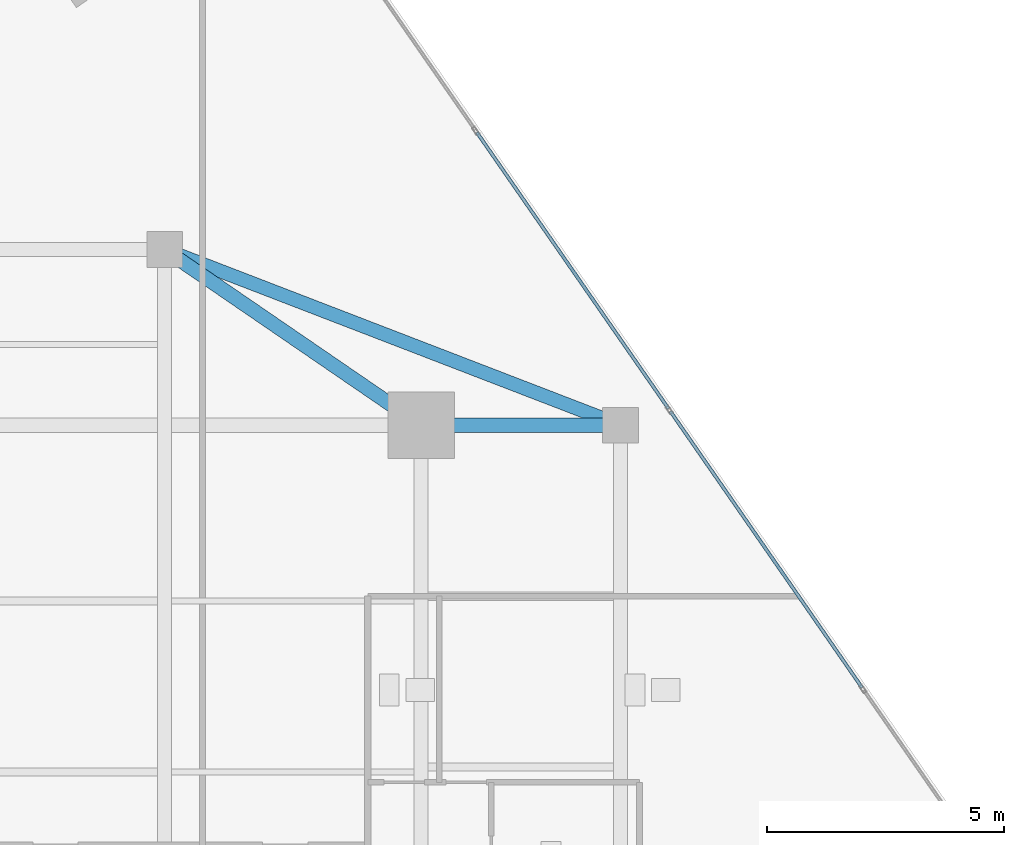
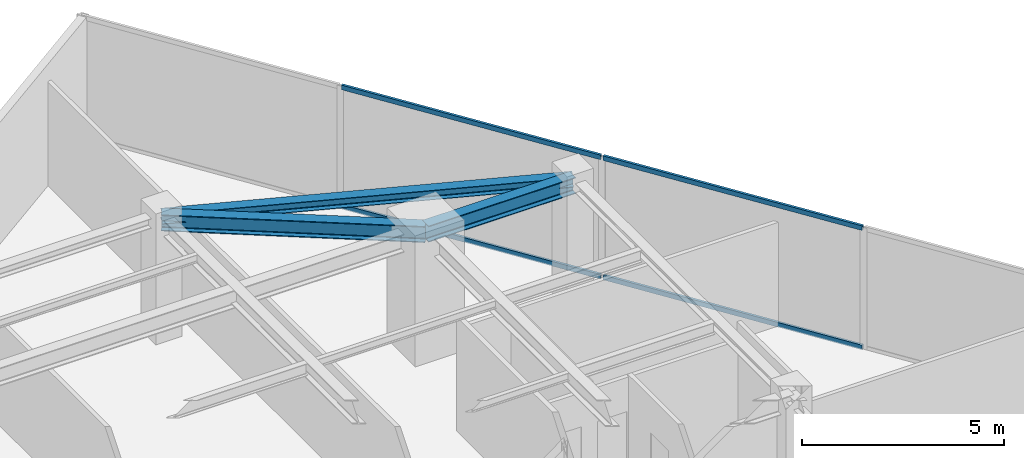
# One storey, part 15 of 21: 4 members, 3 beams, 1 element without a shape of its own.
"""IFC4 building model written with IfcOpenShell, lengths in metres."""

from ifc_helpers import new_model, si_unit, direction, frame, origin, origin_2d, place, context, subcontext, project, spatial, hollow_rectangle, i_section, extrude, source, transform, mapped, material, material_profile, profile_set, type_object, type_shapes, element, aggregate, save


model = new_model("IFC4")

# Units and contexts
model_context = context("Model", 3, precision=1e-05, world=origin(), true_north=direction((0.0, 1.0)))
body_context = subcontext(model_context, "Body", "Model", "MODEL_VIEW")
ifc_project = project(units=[si_unit("LENGTHUNIT", "METRE"), si_unit("AREAUNIT", "SQUARE_METRE"), si_unit("VOLUMEUNIT", "CUBIC_METRE"), si_unit("PLANEANGLEUNIT", "RADIAN"), si_unit("MASSUNIT", "GRAM", prefix="KILO")], contexts=[model_context])

# Site, building, storey
site_placement = place(None, origin())
site = spatial("IfcSite", under=ifc_project, at=site_placement, CompositionType="ELEMENT")
building_placement = place(site_placement, origin())
building = spatial("IfcBuilding", under=site, at=building_placement, Name="Krantzveldt Concourse Tower", CompositionType="ELEMENT")
storey_placement = place(building_placement, frame((0.0, 0.0, 275.300048828125)))
storey = spatial("IfcBuildingStorey", under=building, at=storey_placement, Name="L67", CompositionType="ELEMENT", Elevation=275.300048828125)

# Beams
ifc_material_1 = material(Name="Steel S355JR", Category="steel")
ifc_material_profile_1 = material_profile(ifc_material_1, i_section(OverallWidth=0.300048828125, OverallDepth=0.489990234375, WebThickness=0.011962890625, FlangeThickness=0.02294921875, FilletRadius=0.027099609375, at=origin_2d()), Name="Steel S355JR", Category="steel")
ifc_profile_set_1 = profile_set([ifc_material_profile_1], Name="Steel S355JR - HEA 500")
beam_type_1 = type_object("IfcBeamType", Name="BM-B-HEA500", PredefinedType="BEAM", material=ifc_profile_set_1)
shared_shape_1 = source(origin(), body_context, "Body", "SweptSolid", [
    extrude(i_section(OverallWidth=0.300048828125, OverallDepth=0.489990234375, WebThickness=0.011962890625, FlangeThickness=0.02294921875, FilletRadius=0.027099609375, at=origin_2d()), origin(), (0.0, 0.0, 1.0), 4.199951171875),
])
beam_1_placement = place(storey_placement, frame((46.800048828125, 37.5, 3.425048828125), z_axis=(1.0, 0.0, 0.0), x_axis=(0.0, 1.0, 0.0)))
element("IfcBeam", 1, at=beam_1_placement, inside=storey, type_object=beam_type_1, Name="L67 Tower Girder BR-RR3", PredefinedType="BEAM", context=body_context, shape_type="MappedRepresentation", body=[
    mapped(shared_shape_1, transform((0.0, 0.0, 0.0), x_axis=(1.0, 0.0, 0.0), y_axis=(0.0, 1.0, 0.0), z_axis=(0.0, 0.0, 1.0), scale=1.0)),
])
shared_shape_2 = source(origin(), body_context, "Body", "SweptSolid", [
    extrude(i_section(OverallWidth=0.300048828125, OverallDepth=0.489990234375, WebThickness=0.011962890625, FlangeThickness=0.02294921875, FilletRadius=0.027099609375, at=origin_2d()), origin(), (0.0, 0.0, 1.0), 6.546142578125),
])
type_shapes(beam_type_1, [shared_shape_1, shared_shape_2])
beam_2_placement = place(storey_placement, frame((46.800048828125, 37.5, 3.425048828125), z_axis=(-0.824942999484, 0.565215930068, 0.0), x_axis=(-0.565215930068, -0.824942999484, 0.0)))
element("IfcBeam", 2, at=beam_2_placement, inside=storey, type_object=beam_type_1, Name="L67 Tower Girder BR-RR4", PredefinedType="BEAM", context=body_context, shape_type="MappedRepresentation", body=[
    mapped(shared_shape_2, transform((0.0, 0.0, 0.0), x_axis=(1.0, 0.0, 0.0), y_axis=(0.0, 1.0, 0.0), z_axis=(0.0, 0.0, 1.0), scale=1.0)),
])
ifc_material_profile_2 = material_profile(ifc_material_1, i_section(OverallWidth=0.2900390625, OverallDepth=0.2900390625, WebThickness=0.008544921875, FlangeThickness=0.013916015625, FilletRadius=0.027099609375, at=origin_2d()), Name="Steel S355JR", Category="steel")
ifc_profile_set_2 = profile_set([ifc_material_profile_2], Name="Steel S355JR - HEA 300")
beam_type_2 = type_object("IfcBeamType", Name="BM-SP-HEA300", PredefinedType="SPANDREL", material=ifc_profile_set_2)
shared_shape_3 = source(origin(), body_context, "Body", "SweptSolid", [
    extrude(i_section(OverallWidth=0.2900390625, OverallDepth=0.2900390625, WebThickness=0.008544921875, FlangeThickness=0.013916015625, FilletRadius=0.027099609375, at=origin_2d()), origin(), (0.0, 0.0, 1.0), 10.288330078125),
])
type_shapes(beam_type_2, [shared_shape_3])
beam_3_placement = place(storey_placement, frame((41.39990234375, 41.199951171875, 3.52490234375), z_axis=(0.933097690408, -0.359622997257, 0.0), x_axis=(0.359622997257, 0.933097690408, 0.0)))
element("IfcBeam", 3, at=beam_3_placement, inside=storey, type_object=beam_type_2, Name="L67 Tower Girder SP-R05", PredefinedType="SPANDREL", context=body_context, shape_type="MappedRepresentation", body=[
    mapped(shared_shape_3, transform((0.0, 0.0, 0.0), x_axis=(1.0, 0.0, 0.0), y_axis=(0.0, 1.0, 0.0), z_axis=(0.0, 0.0, 1.0), scale=1.0)),
])

# Curtain wall, members
ifc_material_2 = material(Name="Anodised aluminium 6063-T6", Category="aluminium")
curtain_wall_type = type_object("IfcCurtainWallType", Name="CW4", PredefinedType="USERDEFINED", material=ifc_material_2)
curtain_wall_placement = place(storey_placement, origin())
curtain_wall = element("IfcCurtainWall", 4, at=curtain_wall_placement, inside=storey, type_object=curtain_wall_type, Name="CW-L67-F14", ObjectType="UNITISED CURTAIN WALL", PredefinedType="USERDEFINED")
ifc_material_profile_3 = material_profile(ifc_material_2, hollow_rectangle(XDim=0.070068359375, YDim=0.139892578125, WallThickness=0.0048828125, at=origin_2d()), Name="Anodised aluminium 6063-T6", Category="aluminium")
ifc_profile_set_3 = profile_set([ifc_material_profile_3], Name="Anodised aluminium 6063-T6 - ALU-TRAN 140x70x5")
member_type = type_object("IfcMemberType", Name="CW-TRN-150", PredefinedType="USERDEFINED", material=ifc_profile_set_3)
shared_shape_4 = source(origin(), body_context, "Body", "SweptSolid", [
    extrude(hollow_rectangle(XDim=0.070068359375, YDim=0.139892578125, WallThickness=0.0048828125, at=origin_2d()), origin(), (0.0, 0.0, 1.0), 7.080078125),
])
type_shapes(member_type, [shared_shape_4])
member_1_placement = place(storey_placement, frame((56.0859375, 31.974609375, 0.034912109375), z_axis=(-0.569995091692, 0.821648097087, 0.0), x_axis=(-0.821648097087, -0.569995091692, 0.0)))
member_1 = element("IfcMember", 5, at=member_1_placement, type_object=member_type, Name="CW-Z56 transom 2.1", ObjectType="TRANSOM", PredefinedType="USERDEFINED", context=body_context, shape_type="MappedRepresentation", body=[
    mapped(shared_shape_4, transform((0.0, 0.0, 0.0), x_axis=(1.0, 0.0, 0.0), y_axis=(0.0, 1.0, 0.0), z_axis=(0.0, 0.0, 1.0), scale=1.0)),
])
member_2_placement = place(storey_placement, frame((56.0859375, 31.974609375, 3.635009765625), z_axis=(-0.569995091692, 0.821648097087, 0.0), x_axis=(-0.821648097087, -0.569995091692, 0.0)))
member_2 = element("IfcMember", 6, at=member_2_placement, type_object=member_type, Name="CW-Z56 transom 2.2", ObjectType="TRANSOM", PredefinedType="USERDEFINED", context=body_context, shape_type="MappedRepresentation", body=[
    mapped(shared_shape_4, transform((0.0, 0.0, 0.0), x_axis=(1.0, 0.0, 0.0), y_axis=(0.0, 1.0, 0.0), z_axis=(0.0, 0.0, 1.0), scale=1.0)),
])
member_3_placement = place(storey_placement, frame((52.010498046875, 37.849365234375, 0.034912109375), z_axis=(-0.569995091692, 0.821648097087, 0.0), x_axis=(-0.821648097087, -0.569995091692, 0.0)))
member_3 = element("IfcMember", 7, at=member_3_placement, type_object=member_type, Name="CW-Z56 transom 3.1", ObjectType="TRANSOM", PredefinedType="USERDEFINED", context=body_context, shape_type="MappedRepresentation", body=[
    mapped(shared_shape_4, transform((0.0, 0.0, 0.0), x_axis=(1.0, 0.0, 0.0), y_axis=(0.0, 1.0, 0.0), z_axis=(0.0, 0.0, 1.0), scale=1.0)),
])
member_4_placement = place(storey_placement, frame((52.010498046875, 37.849365234375, 3.635009765625), z_axis=(-0.569995091692, 0.821648097087, 0.0), x_axis=(-0.821648097087, -0.569995091692, 0.0)))
member_4 = element("IfcMember", 8, at=member_4_placement, type_object=member_type, Name="CW-Z56 transom 3.2", ObjectType="TRANSOM", PredefinedType="USERDEFINED", context=body_context, shape_type="MappedRepresentation", body=[
    mapped(shared_shape_4, transform((0.0, 0.0, 0.0), x_axis=(1.0, 0.0, 0.0), y_axis=(0.0, 1.0, 0.0), z_axis=(0.0, 0.0, 1.0), scale=1.0)),
])
aggregate(curtain_wall, [member_1, member_2, member_3, member_4])

save(model, "model.ifc")
